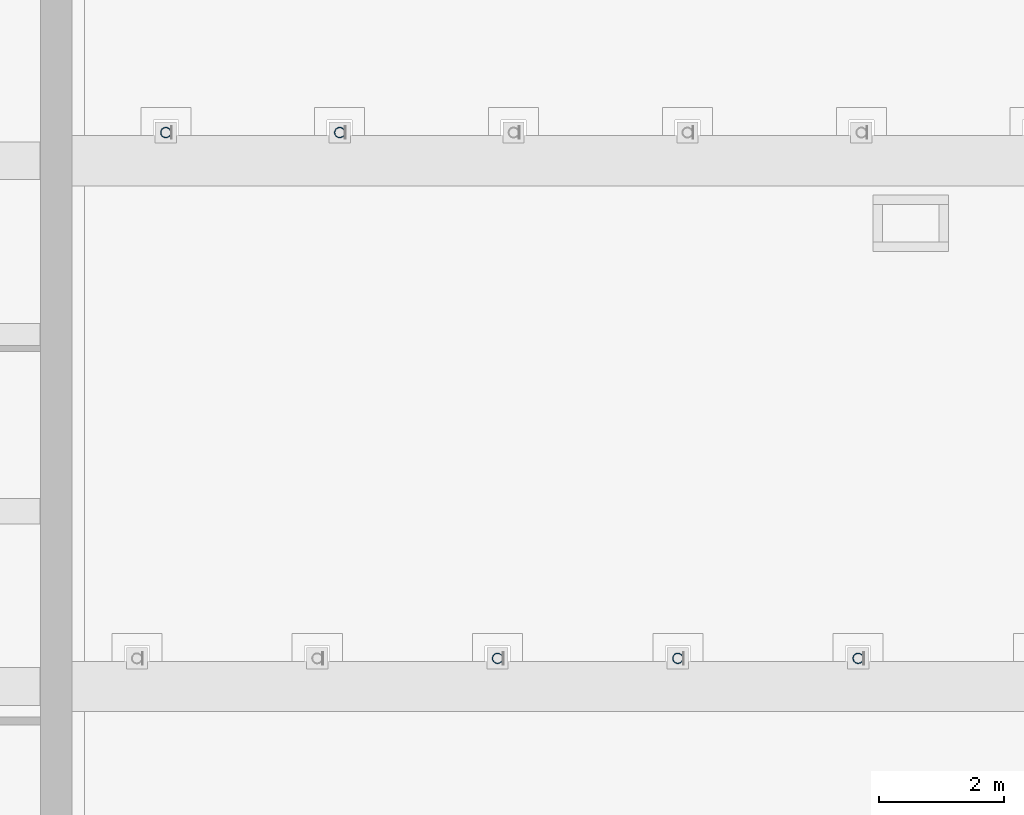
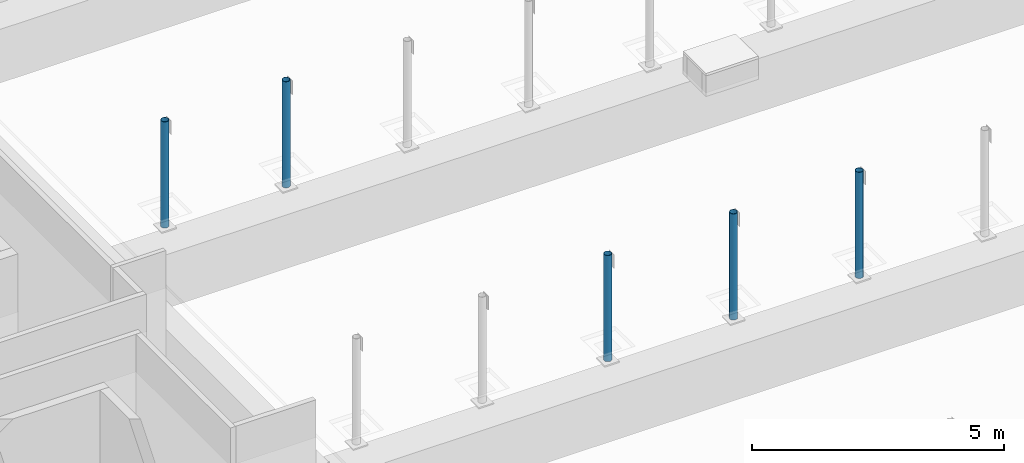
# One storey, part 10 of 47: 5 members.
"""IFC4 building model written with IfcOpenShell, lengths in metres."""

from ifc_helpers import new_model, si_unit, direction, frame, origin, origin_2d, place, context, subcontext, project, spatial, hollow_circle, extrude, material, material_profile, profile_set, type_object, element, save


model = new_model("IFC4")

# Units and contexts
model_context = context("Model", 3, precision=1e-05, world=origin(), true_north=direction((0.0, 1.0)))
body_context = subcontext(model_context, "Body", "Model", "MODEL_VIEW")
ifc_project = project(units=[si_unit("LENGTHUNIT", "METRE"), si_unit("AREAUNIT", "SQUARE_METRE"), si_unit("VOLUMEUNIT", "CUBIC_METRE"), si_unit("PLANEANGLEUNIT", "RADIAN"), si_unit("MASSUNIT", "GRAM", prefix="KILO")], contexts=[model_context])

# Site, building, storey
site_placement = place(None, origin())
site = spatial("IfcSite", under=ifc_project, at=site_placement, CompositionType="ELEMENT")
building_placement = place(site_placement, origin())
building = spatial("IfcBuilding", under=site, at=building_placement, Name="Larchfold Concert Hall", CompositionType="ELEMENT")
storey_placement = place(building_placement, frame((0.0, 0.0, 24.0)))
storey = spatial("IfcBuildingStorey", under=building, at=storey_placement, Name="L05", CompositionType="ELEMENT", Elevation=24.0)

# Members
ifc_material = material(Name="Steel S355J2H", Category="steel")
ifc_material_profile = material_profile(ifc_material, hollow_circle(Radius=0.084228515625, WallThickness=0.008056640625, at=origin_2d()))
ifc_profile_set = profile_set([ifc_material_profile], Name="Steel S355J2H")
member_type = type_object("IfcMemberType", Name="Truss post CHS 168.3x8", PredefinedType="POST", material=ifc_profile_set)
for number, where, z_axis, x_axis, name in (
    (1, (35.398681640625, 85.050048828125, 2.080078125), (0.0, 0.0, 1.0), (1.0, 0.0, 0.0), "Member TP023"),
    (2, (38.279296875, 85.050048828125, 2.080078125), (0.0, 0.0, 1.0), (1.0, 0.0, 0.0), "Member TP024"),
    (3, (41.159912109375, 85.050048828125, 2.080078125), (0.0, 0.0, 1.0), (1.0, 0.0, 0.0), "Member TP025"),
    (4, (30.099365234375, 93.4501953125, 2.080078125), (0.0, 0.0, 1.0), (1.0, 0.0, 0.0), "Member TP031"),
    (5, (32.877197265625, 93.4501953125, 2.080078125), (0.0, 0.0, 1.0), (1.0, 0.0, 0.0), "Member TP032"),
):
    element("IfcMember", number, at=place(storey_placement, frame(where, z_axis=z_axis, x_axis=x_axis)), inside=storey, type_object=member_type, Name=name, PredefinedType="POST", context=body_context, shape_type="SweptSolid", body=[
        extrude(hollow_circle(Radius=0.084228515625, WallThickness=0.008056640625, at=origin_2d()), origin(), (0.0, 0.0, 1.0), 2.570068359375),
    ])

save(model, "model.ifc")
